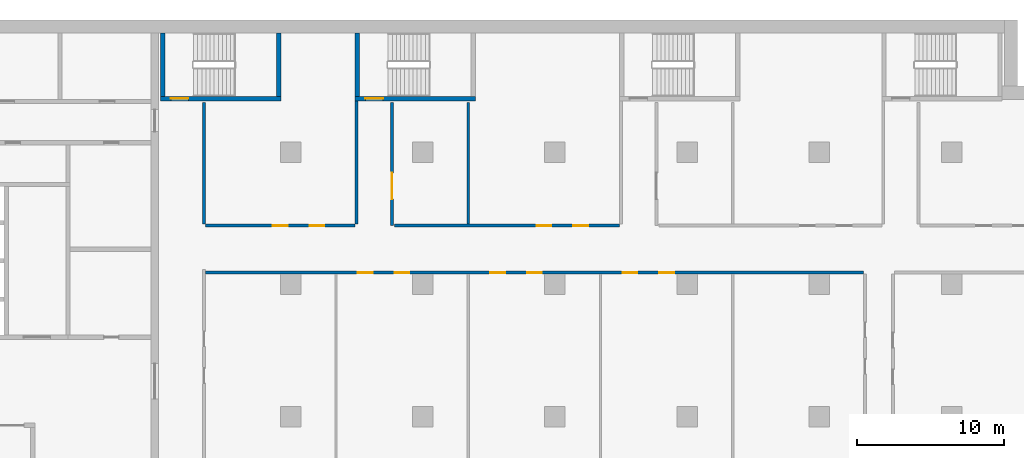
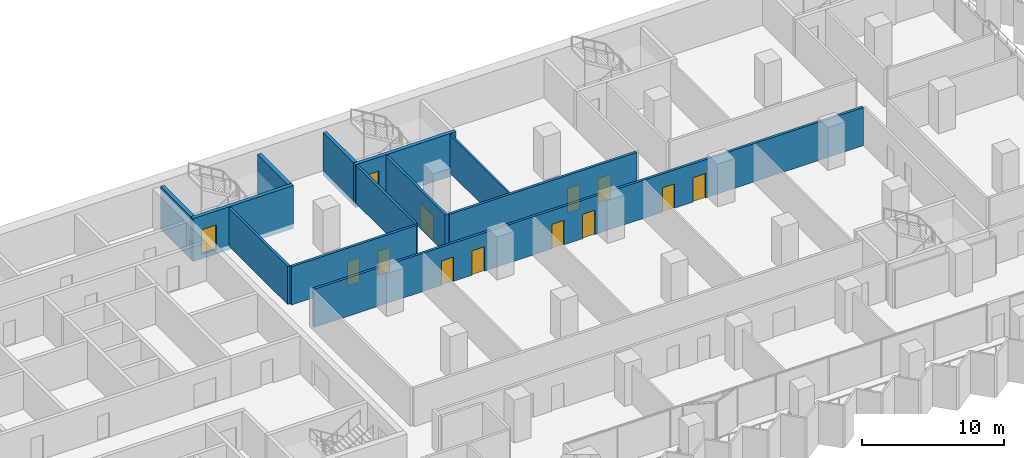
# One storey, part 16 of 28: 13 doors, 12 walls, 13 openings.
"""IFC4 building model written with IfcOpenShell, lengths in metres."""

from ifc_helpers import new_model, si_unit, direction, frame, frame_2d, origin, place, context, subcontext, project, spatial, rectangle, extrude, material, layer, layer_set, type_object, element, fill, save


model = new_model("IFC4")

# Units and contexts
model_context = context("Model", 3, precision=1e-05, world=origin(), true_north=direction((0.0, 1.0)))
body_context = subcontext(model_context, "Body", "Model", "MODEL_VIEW")
ifc_project = project(units=[si_unit("LENGTHUNIT", "METRE"), si_unit("AREAUNIT", "SQUARE_METRE"), si_unit("VOLUMEUNIT", "CUBIC_METRE"), si_unit("PLANEANGLEUNIT", "RADIAN"), si_unit("MASSUNIT", "GRAM", prefix="KILO")], contexts=[model_context])

# Site, building, storey
site_placement = place(None, origin())
site = spatial("IfcSite", under=ifc_project, at=site_placement, CompositionType="ELEMENT")
building_placement = place(site_placement, origin())
building = spatial("IfcBuilding", under=site, at=building_placement, Name="Hunhe Ridgeline Campus", CompositionType="ELEMENT")
storey_placement = place(building_placement, frame((0.0, 0.0, 39.5)))
storey = spatial("IfcBuildingStorey", under=building, at=storey_placement, Name="L08", CompositionType="ELEMENT", Elevation=39.5)

# Wall, openings, doors
ifc_material_1 = material(Name="Gypsum board partition")
ifc_layer_1 = layer(ifc_material_1, 0.199951171875)
ifc_layer_set_1 = layer_set([ifc_layer_1], Name="Corridor partition 200 gypsum board on steel studs")
wall_type_1 = type_object("IfcWallType", Name="Corridor partition 200 gypsum board on steel studs", PredefinedType="PARTITIONING", material=ifc_layer_set_1)
wall_1_placement = place(storey_placement, frame((84.0, 81.800048828125, 0.0), z_axis=(0.0, 0.0, 1.0), x_axis=(-1.0, 0.0, 0.0)))
wall_1 = element("IfcWall", 1, at=wall_1_placement, inside=storey, type_object=wall_type_1, Name="F-L08-wall-038", PredefinedType="PARTITIONING", context=body_context, shape_type="SweptSolid", body=[
    extrude(rectangle(XDim=44.800048828125, YDim=0.199951171875, at=frame_2d((22.39990234375, 0.0))), origin(), (0.0, 0.0, 1.0), 3.300048828125),
])
opening_1_placement = place(wall_1_placement, frame((33.41015625, 0.0, 0.0)))
opening_1 = element("IfcOpeningElement", 2, at=opening_1_placement, cuts=wall_1, Name="Opening RD1-037", PredefinedType="OPENING", context=body_context, shape_type="SweptSolid", body=[
    extrude(rectangle(XDim=1.0, YDim=2.10009765625, at=frame_2d((0.5, 1.050048828125))), frame((0.0, 0.10009765625, 0.0), z_axis=(0.0, -1.0, 0.0), x_axis=(1.0, 0.0, 0.0)), (0.0, 0.0, 1.0), 0.199951171875),
])
opening_2_placement = place(wall_1_placement, frame((30.91015625, 0.0, 0.0)))
opening_2 = element("IfcOpeningElement", 3, at=opening_2_placement, cuts=wall_1, Name="Opening RD1-038", PredefinedType="OPENING", context=body_context, shape_type="SweptSolid", body=[
    extrude(rectangle(XDim=1.0, YDim=2.10009765625, at=frame_2d((0.5, 1.050048828125))), frame((0.0, 0.10009765625, 0.0), z_axis=(0.0, -1.0, 0.0), x_axis=(1.0, 0.0, 0.0)), (0.0, 0.0, 1.0), 0.199951171875),
])
opening_3_placement = place(wall_1_placement, frame((24.39990234375, 0.0, 0.0)))
opening_3 = element("IfcOpeningElement", 4, at=opening_3_placement, cuts=wall_1, Name="Opening RD1-039", PredefinedType="OPENING", context=body_context, shape_type="SweptSolid", body=[
    extrude(rectangle(XDim=1.0, YDim=2.10009765625, at=frame_2d((0.5, 1.050048828125))), frame((0.0, 0.10009765625, 0.0), z_axis=(0.0, -1.0, 0.0), x_axis=(1.0, 0.0, 0.0)), (0.0, 0.0, 1.0), 0.199951171875),
])
opening_4_placement = place(wall_1_placement, frame((21.89990234375, 0.0, 0.0)))
opening_4 = element("IfcOpeningElement", 5, at=opening_4_placement, cuts=wall_1, Name="Opening RD1-040", PredefinedType="OPENING", context=body_context, shape_type="SweptSolid", body=[
    extrude(rectangle(XDim=1.0, YDim=2.10009765625, at=frame_2d((0.5, 1.050048828125))), frame((0.0, 0.10009765625, 0.0), z_axis=(0.0, -1.0, 0.0), x_axis=(1.0, 0.0, 0.0)), (0.0, 0.0, 1.0), 0.199951171875),
])
opening_5_placement = place(wall_1_placement, frame((15.389892578125, 0.0, 0.0)))
opening_5 = element("IfcOpeningElement", 6, at=opening_5_placement, cuts=wall_1, Name="Opening RD1-041", PredefinedType="OPENING", context=body_context, shape_type="SweptSolid", body=[
    extrude(rectangle(XDim=1.0, YDim=2.10009765625, at=frame_2d((0.5, 1.050048828125))), frame((0.0, 0.10009765625, 0.0), z_axis=(0.0, -1.0, 0.0), x_axis=(1.0, 0.0, 0.0)), (0.0, 0.0, 1.0), 0.199951171875),
])
opening_6_placement = place(wall_1_placement, frame((12.889892578125, 0.0, 0.0)))
opening_6 = element("IfcOpeningElement", 7, at=opening_6_placement, cuts=wall_1, Name="Opening RD1-042", PredefinedType="OPENING", context=body_context, shape_type="SweptSolid", body=[
    extrude(rectangle(XDim=1.0, YDim=2.10009765625, at=frame_2d((0.5, 1.050048828125))), frame((0.0, 0.10009765625, 0.0), z_axis=(0.0, -1.0, 0.0), x_axis=(1.0, 0.0, 0.0)), (0.0, 0.0, 1.0), 0.199951171875),
])
ifc_material_2 = material(Name="Timber door leaf", Category="wood")
door_type_1 = type_object("IfcDoorType", Name="Single fire door 1000x2100 timber FD60", OperationType="NOTDEFINED", PredefinedType="DOOR", material=ifc_material_2)
door_1_placement = place(opening_1_placement, frame((1.0, 0.0, 0.0), z_axis=(0.0, 0.0, 1.0), x_axis=(-1.0, 0.0, 0.0)))
door_1 = element("IfcDoor", 8, at=door_1_placement, inside=storey, type_object=door_type_1, Name="F-L08-door-037", OperationType="SINGLE_SWING_LEFT", OverallHeight=2.10009765625, OverallWidth=1.0, PredefinedType="DOOR", context=body_context, shape_type="SweptSolid", body=[
    extrude(rectangle(XDim=1.0, YDim=2.10009765625, at=frame_2d((0.5, 1.050048828125))), frame((0.0, 0.02490234375, 0.0), z_axis=(0.0, -1.0, 0.0), x_axis=(1.0, 0.0, 0.0)), (0.0, 0.0, 1.0), 0.050048828125),
])
fill(opening_1, door_1)
door_2_placement = place(opening_2_placement, frame((1.0, 0.0, 0.0), z_axis=(0.0, 0.0, 1.0), x_axis=(-1.0, 0.0, 0.0)))
door_2 = element("IfcDoor", 9, at=door_2_placement, inside=storey, type_object=door_type_1, Name="F-L08-door-038", OperationType="SINGLE_SWING_RIGHT", OverallHeight=2.10009765625, OverallWidth=1.0, PredefinedType="DOOR", context=body_context, shape_type="SweptSolid", body=[
    extrude(rectangle(XDim=1.0, YDim=2.10009765625, at=frame_2d((0.5, 1.050048828125))), frame((0.0, 0.02490234375, 0.0), z_axis=(0.0, -1.0, 0.0), x_axis=(1.0, 0.0, 0.0)), (0.0, 0.0, 1.0), 0.050048828125),
])
fill(opening_2, door_2)
door_3_placement = place(opening_3_placement, frame((1.0, 0.0, 0.0), z_axis=(0.0, 0.0, 1.0), x_axis=(-1.0, 0.0, 0.0)))
door_3 = element("IfcDoor", 10, at=door_3_placement, inside=storey, type_object=door_type_1, Name="F-L08-door-039", OperationType="SINGLE_SWING_LEFT", OverallHeight=2.10009765625, OverallWidth=1.0, PredefinedType="DOOR", context=body_context, shape_type="SweptSolid", body=[
    extrude(rectangle(XDim=1.0, YDim=2.10009765625, at=frame_2d((0.5, 1.050048828125))), frame((0.0, 0.02490234375, 0.0), z_axis=(0.0, -1.0, 0.0), x_axis=(1.0, 0.0, 0.0)), (0.0, 0.0, 1.0), 0.050048828125),
])
fill(opening_3, door_3)
door_4_placement = place(opening_4_placement, frame((1.0, 0.0, 0.0), z_axis=(0.0, 0.0, 1.0), x_axis=(-1.0, 0.0, 0.0)))
door_4 = element("IfcDoor", 11, at=door_4_placement, inside=storey, type_object=door_type_1, Name="F-L08-door-040", OperationType="SINGLE_SWING_RIGHT", OverallHeight=2.10009765625, OverallWidth=1.0, PredefinedType="DOOR", context=body_context, shape_type="SweptSolid", body=[
    extrude(rectangle(XDim=1.0, YDim=2.10009765625, at=frame_2d((0.5, 1.050048828125))), frame((0.0, 0.02490234375, 0.0), z_axis=(0.0, -1.0, 0.0), x_axis=(1.0, 0.0, 0.0)), (0.0, 0.0, 1.0), 0.050048828125),
])
fill(opening_4, door_4)
door_5_placement = place(opening_5_placement, frame((1.0, 0.0, 0.0), z_axis=(0.0, 0.0, 1.0), x_axis=(-1.0, 0.0, 0.0)))
door_5 = element("IfcDoor", 12, at=door_5_placement, inside=storey, type_object=door_type_1, Name="F-L08-door-041", OperationType="SINGLE_SWING_LEFT", OverallHeight=2.10009765625, OverallWidth=1.0, PredefinedType="DOOR", context=body_context, shape_type="SweptSolid", body=[
    extrude(rectangle(XDim=1.0, YDim=2.10009765625, at=frame_2d((0.5, 1.050048828125))), frame((0.0, 0.02490234375, 0.0), z_axis=(0.0, -1.0, 0.0), x_axis=(1.0, 0.0, 0.0)), (0.0, 0.0, 1.0), 0.050048828125),
])
fill(opening_5, door_5)
door_6_placement = place(opening_6_placement, frame((1.0, 0.0, 0.0), z_axis=(0.0, 0.0, 1.0), x_axis=(-1.0, 0.0, 0.0)))
door_6 = element("IfcDoor", 13, at=door_6_placement, inside=storey, type_object=door_type_1, Name="F-L08-door-042", OperationType="SINGLE_SWING_RIGHT", OverallHeight=2.10009765625, OverallWidth=1.0, PredefinedType="DOOR", context=body_context, shape_type="SweptSolid", body=[
    extrude(rectangle(XDim=1.0, YDim=2.10009765625, at=frame_2d((0.5, 1.050048828125))), frame((0.0, 0.02490234375, 0.0), z_axis=(0.0, -1.0, 0.0), x_axis=(1.0, 0.0, 0.0)), (0.0, 0.0, 1.0), 0.050048828125),
])
fill(opening_6, door_6)

wall_2_placement = place(storey_placement, frame((39.199951171875, 85.0, 0.0), z_axis=(0.0, 0.0, 1.0), x_axis=(1.0, 0.0, 0.0)))
wall_2 = element("IfcWall", 14, at=wall_2_placement, inside=storey, type_object=wall_type_1, Name="F-L08-wall-040", PredefinedType="PARTITIONING", context=body_context, shape_type="SweptSolid", body=[
    extrude(rectangle(XDim=10.199951171875, YDim=0.199951171875, at=frame_2d((5.10009765625, 0.0))), origin(), (0.0, 0.0, 1.0), 3.300048828125),
])
opening_7_placement = place(wall_2_placement, frame((4.60009765625, 0.0, 0.0)))
opening_7 = element("IfcOpeningElement", 15, at=opening_7_placement, cuts=wall_2, Name="Opening RD1-043", PredefinedType="OPENING", context=body_context, shape_type="SweptSolid", body=[
    extrude(rectangle(XDim=1.0, YDim=2.10009765625, at=frame_2d((0.5, 1.050048828125))), frame((0.0, 0.10009765625, 0.0), z_axis=(0.0, -1.0, 0.0), x_axis=(1.0, 0.0, 0.0)), (0.0, 0.0, 1.0), 0.199951171875),
])
opening_8_placement = place(wall_2_placement, frame((7.10009765625, 0.0, 0.0)))
opening_8 = element("IfcOpeningElement", 16, at=opening_8_placement, cuts=wall_2, Name="Opening RD1-044", PredefinedType="OPENING", context=body_context, shape_type="SweptSolid", body=[
    extrude(rectangle(XDim=1.0, YDim=2.10009765625, at=frame_2d((0.5, 1.050048828125))), frame((0.0, 0.10009765625, 0.0), z_axis=(0.0, -1.0, 0.0), x_axis=(1.0, 0.0, 0.0)), (0.0, 0.0, 1.0), 0.199951171875),
])
door_7_placement = place(opening_7_placement, frame((1.0, 0.0, 0.0), z_axis=(0.0, 0.0, 1.0), x_axis=(-1.0, 0.0, 0.0)))
door_7 = element("IfcDoor", 17, at=door_7_placement, inside=storey, type_object=door_type_1, Name="F-L08-door-043", OperationType="SINGLE_SWING_LEFT", OverallHeight=2.10009765625, OverallWidth=1.0, PredefinedType="DOOR", context=body_context, shape_type="SweptSolid", body=[
    extrude(rectangle(XDim=1.0, YDim=2.10009765625, at=frame_2d((0.5, 1.050048828125))), frame((0.0, 0.02490234375, 0.0), z_axis=(0.0, -1.0, 0.0), x_axis=(1.0, 0.0, 0.0)), (0.0, 0.0, 1.0), 0.050048828125),
])
fill(opening_7, door_7)
door_8_placement = place(opening_8_placement, frame((1.0, 0.0, 0.0), z_axis=(0.0, 0.0, 1.0), x_axis=(-1.0, 0.0, 0.0)))
door_8 = element("IfcDoor", 18, at=door_8_placement, inside=storey, type_object=door_type_1, Name="F-L08-door-044", OperationType="SINGLE_SWING_LEFT", OverallHeight=2.10009765625, OverallWidth=1.0, PredefinedType="DOOR", context=body_context, shape_type="SweptSolid", body=[
    extrude(rectangle(XDim=1.0, YDim=2.10009765625, at=frame_2d((0.5, 1.050048828125))), frame((0.0, 0.02490234375, 0.0), z_axis=(0.0, -1.0, 0.0), x_axis=(1.0, 0.0, 0.0)), (0.0, 0.0, 1.0), 0.050048828125),
])
fill(opening_8, door_8)

wall_3_placement = place(storey_placement, frame((52.087646484375, 85.0, 0.0), z_axis=(0.0, 0.0, 1.0), x_axis=(1.0, 0.0, 0.0)))
wall_3 = element("IfcWall", 19, at=wall_3_placement, inside=storey, type_object=wall_type_1, Name="F-L08-wall-041", PredefinedType="PARTITIONING", context=body_context, shape_type="SweptSolid", body=[
    extrude(rectangle(XDim=15.312255859375, YDim=0.199951171875, at=frame_2d((7.65625, 0.0))), origin(), (0.0, 0.0, 1.0), 3.300048828125),
])
opening_9_placement = place(wall_3_placement, frame((9.66650390625, 0.0, 0.0)))
opening_9 = element("IfcOpeningElement", 20, at=opening_9_placement, cuts=wall_3, Name="Opening RD1-045", PredefinedType="OPENING", context=body_context, shape_type="SweptSolid", body=[
    extrude(rectangle(XDim=1.0, YDim=2.10009765625, at=frame_2d((0.5, 1.050048828125))), frame((0.0, 0.10009765625, 0.0), z_axis=(0.0, -1.0, 0.0), x_axis=(1.0, 0.0, 0.0)), (0.0, 0.0, 1.0), 0.199951171875),
])
opening_10_placement = place(wall_3_placement, frame((12.16650390625, 0.0, 0.0)))
opening_10 = element("IfcOpeningElement", 21, at=opening_10_placement, cuts=wall_3, Name="Opening RD1-046", PredefinedType="OPENING", context=body_context, shape_type="SweptSolid", body=[
    extrude(rectangle(XDim=1.0, YDim=2.10009765625, at=frame_2d((0.5, 1.050048828125))), frame((0.0, 0.10009765625, 0.0), z_axis=(0.0, -1.0, 0.0), x_axis=(1.0, 0.0, 0.0)), (0.0, 0.0, 1.0), 0.199951171875),
])
door_9_placement = place(opening_9_placement, frame((1.0, 0.0, 0.0), z_axis=(0.0, 0.0, 1.0), x_axis=(-1.0, 0.0, 0.0)))
door_9 = element("IfcDoor", 22, at=door_9_placement, inside=storey, type_object=door_type_1, Name="F-L08-door-045", OperationType="SINGLE_SWING_RIGHT", OverallHeight=2.10009765625, OverallWidth=1.0, PredefinedType="DOOR", context=body_context, shape_type="SweptSolid", body=[
    extrude(rectangle(XDim=1.0, YDim=2.10009765625, at=frame_2d((0.5, 1.050048828125))), frame((0.0, 0.02490234375, 0.0), z_axis=(0.0, -1.0, 0.0), x_axis=(1.0, 0.0, 0.0)), (0.0, 0.0, 1.0), 0.050048828125),
])
fill(opening_9, door_9)
door_10_placement = place(opening_10_placement, frame((1.0, 0.0, 0.0), z_axis=(0.0, 0.0, 1.0), x_axis=(-1.0, 0.0, 0.0)))
door_10 = element("IfcDoor", 23, at=door_10_placement, inside=storey, type_object=door_type_1, Name="F-L08-door-046", OperationType="SINGLE_SWING_LEFT", OverallHeight=2.10009765625, OverallWidth=1.0, PredefinedType="DOOR", context=body_context, shape_type="SweptSolid", body=[
    extrude(rectangle(XDim=1.0, YDim=2.10009765625, at=frame_2d((0.5, 1.050048828125))), frame((0.0, 0.02490234375, 0.0), z_axis=(0.0, -1.0, 0.0), x_axis=(1.0, 0.0, 0.0)), (0.0, 0.0, 1.0), 0.050048828125),
])
fill(opening_10, door_10)

# Walls
wall_4_placement = place(storey_placement, frame((39.10009765625, 93.39599609375, 0.0), z_axis=(0.0, 0.0, 1.0), x_axis=(0.0, -1.0, 0.0)))
element("IfcWall", 24, at=wall_4_placement, inside=storey, type_object=wall_type_1, Name="F-L08-wall-056", PredefinedType="PARTITIONING", context=body_context, shape_type="SweptSolid", body=[
    extrude(rectangle(XDim=8.2958984375, YDim=0.199951171875, at=frame_2d((4.14794921875, 0.0))), origin(), (0.0, 0.0, 1.0), 3.300048828125),
])
wall_5_placement = place(storey_placement, frame((49.5, 85.10009765625, 0.0), z_axis=(0.0, 0.0, 1.0), x_axis=(0.0, 1.0, 0.0)))
element("IfcWall", 25, at=wall_5_placement, inside=storey, type_object=wall_type_1, Name="F-L08-wall-059", PredefinedType="PARTITIONING", context=body_context, shape_type="SweptSolid", body=[
    extrude(rectangle(XDim=8.369873046875, YDim=0.199951171875, at=frame_2d((4.18505859375, 0.0))), origin(), (0.0, 0.0, 1.0), 3.300048828125),
])

# Wall, opening, door
wall_6_placement = place(storey_placement, frame((51.89990234375, 93.39599609375, 0.0), z_axis=(0.0, 0.0, 1.0), x_axis=(0.0, -1.0, 0.0)))
wall_6 = element("IfcWall", 26, at=wall_6_placement, inside=storey, type_object=wall_type_1, Name="F-L08-wall-060", PredefinedType="PARTITIONING", context=body_context, shape_type="SweptSolid", body=[
    extrude(rectangle(XDim=8.39599609375, YDim=0.199951171875, at=frame_2d((4.197998046875, 0.0))), origin(), (0.0, 0.0, 1.0), 3.300048828125),
])
opening_11_placement = place(wall_6_placement, frame((4.798095703125, 0.0, 0.0)))
opening_11 = element("IfcOpeningElement", 27, at=opening_11_placement, cuts=wall_6, Name="Opening RD2-051", PredefinedType="OPENING", context=body_context, shape_type="SweptSolid", body=[
    extrude(rectangle(XDim=1.800048828125, YDim=2.10009765625, at=frame_2d((0.89990234375, 1.050048828125))), frame((0.0, 0.10009765625, 0.0), z_axis=(0.0, -1.0, 0.0), x_axis=(1.0, 0.0, 0.0)), (0.0, 0.0, 1.0), 0.199951171875),
])
door_type_2 = type_object("IfcDoorType", Name="Double fire door 1800x2100 timber FD60", OperationType="DOUBLE_DOOR_SINGLE_SWING", PredefinedType="DOOR", material=ifc_material_2)
door_11_placement = place(opening_11_placement, origin())
door_11 = element("IfcDoor", 28, at=door_11_placement, inside=storey, type_object=door_type_2, Name="F-L08-door-051", OperationType="DOUBLE_DOOR_SINGLE_SWING", OverallHeight=2.10009765625, OverallWidth=1.800048828125, PredefinedType="DOOR", context=body_context, shape_type="SweptSolid", body=[
    extrude(rectangle(XDim=1.800048828125, YDim=2.10009765625, at=frame_2d((0.89990234375, 1.050048828125))), frame((0.0, 0.02490234375, 0.0), z_axis=(0.0, -1.0, 0.0), x_axis=(1.0, 0.0, 0.0)), (0.0, 0.0, 1.0), 0.050048828125),
])
fill(opening_11, door_11)

# Wall
ifc_layer_2 = layer(ifc_material_1, 0.14990234375)
ifc_layer_set_2 = layer_set([ifc_layer_2], Name="Room partition 150 gypsum board on steel studs")
wall_type_2 = type_object("IfcWallType", Name="Room partition 150 gypsum board on steel studs", PredefinedType="PARTITIONING", material=ifc_layer_set_2)
wall_7_placement = place(storey_placement, frame((57.10009765625, 93.39599609375, 0.0), z_axis=(0.0, 0.0, 1.0), x_axis=(0.0, -1.0, 0.0)))
element("IfcWall", 29, at=wall_7_placement, inside=storey, type_object=wall_type_2, Name="F-L08-wall-064", PredefinedType="PARTITIONING", context=body_context, shape_type="SweptSolid", body=[
    extrude(rectangle(XDim=8.2958984375, YDim=0.14990234375, at=frame_2d((4.14794921875, 0.0))), origin(), (0.0, 0.0, 1.0), 3.300048828125),
])

# Wall, opening, door
ifc_material_3 = material(Name="Concrete C80", Category="concrete")
ifc_layer_3 = layer(ifc_material_3, 0.300048828125)
ifc_layer_set_3 = layer_set([ifc_layer_3], Name="Stair wall 300 reinforced concrete C80")
wall_type_3 = type_object("IfcWallType", Name="Stair wall 300 reinforced concrete C80", PredefinedType="SOLIDWALL", material=ifc_layer_set_3)
wall_8_placement = place(storey_placement, frame((36.14990234375, 93.64990234375, -0.39990234375), z_axis=(0.0, 0.0, 1.0), x_axis=(1.0, 0.0, 0.0)))
wall_8 = element("IfcWall", 30, at=wall_8_placement, inside=storey, type_object=wall_type_3, Name="L08 core wall 32", PredefinedType="SOLIDWALL", context=body_context, shape_type="SweptSolid", body=[
    extrude(rectangle(XDim=8.2001953125, YDim=0.300048828125, at=frame_2d((4.10009765625, 0.0))), origin(), (0.0, 0.0, 1.0), 3.699951171875),
])
opening_12_placement = place(wall_8_placement, frame((0.699951171875, 0.0, 0.39990234375)))
opening_12 = element("IfcOpeningElement", 31, at=opening_12_placement, cuts=wall_8, Name="Opening CD17", PredefinedType="OPENING", context=body_context, shape_type="SweptSolid", body=[
    extrude(rectangle(XDim=1.199951171875, YDim=2.10009765625, at=frame_2d((0.60009765625, 1.050048828125))), frame((0.0, 0.14990234375, 0.0), z_axis=(0.0, -1.0, 0.0), x_axis=(1.0, 0.0, 0.0)), (0.0, 0.0, 1.0), 0.300048828125),
])
ifc_material_4 = material(Name="Hollow metal fire door leaf")
door_type_3 = type_object("IfcDoorType", Name="Stair door 1200x2100 FD60", OperationType="SINGLE_SWING_LEFT", PredefinedType="DOOR", material=ifc_material_4)
door_12_placement = place(opening_12_placement, frame((1.199951171875, 0.0, 0.0), z_axis=(0.0, 0.0, 1.0), x_axis=(-1.0, 0.0, 0.0)))
door_12 = element("IfcDoor", 32, at=door_12_placement, inside=storey, type_object=door_type_3, Name="L08 door E1", OperationType="SINGLE_SWING_RIGHT", OverallHeight=2.10009765625, OverallWidth=1.199951171875, PredefinedType="DOOR", context=body_context, shape_type="SweptSolid", body=[
    extrude(rectangle(XDim=1.199951171875, YDim=2.10009765625, at=frame_2d((0.60009765625, 1.050048828125))), frame((0.0, 0.02490234375, 0.0), z_axis=(0.0, -1.0, 0.0), x_axis=(1.0, 0.0, 0.0)), (0.0, 0.0, 1.0), 0.050048828125),
])
fill(opening_12, door_12)

wall_9_placement = place(storey_placement, frame((49.39990234375, 93.64990234375, -0.39990234375), z_axis=(0.0, 0.0, 1.0), x_axis=(1.0, 0.0, 0.0)))
wall_9 = element("IfcWall", 33, at=wall_9_placement, inside=storey, type_object=wall_type_3, Name="L08 core wall 33", PredefinedType="SOLIDWALL", context=body_context, shape_type="SweptSolid", body=[
    extrude(rectangle(XDim=8.2001953125, YDim=0.300048828125, at=frame_2d((4.10009765625, 0.0))), origin(), (0.0, 0.0, 1.0), 3.699951171875),
])
opening_13_placement = place(wall_9_placement, frame((0.699951171875, 0.0, 0.39990234375)))
opening_13 = element("IfcOpeningElement", 34, at=opening_13_placement, cuts=wall_9, Name="Opening CD18", PredefinedType="OPENING", context=body_context, shape_type="SweptSolid", body=[
    extrude(rectangle(XDim=1.199951171875, YDim=2.10009765625, at=frame_2d((0.60009765625, 1.050048828125))), frame((0.0, 0.14990234375, 0.0), z_axis=(0.0, -1.0, 0.0), x_axis=(1.0, 0.0, 0.0)), (0.0, 0.0, 1.0), 0.300048828125),
])
door_13_placement = place(opening_13_placement, frame((1.199951171875, 0.0, 0.0), z_axis=(0.0, 0.0, 1.0), x_axis=(-1.0, 0.0, 0.0)))
door_13 = element("IfcDoor", 35, at=door_13_placement, inside=storey, type_object=door_type_3, Name="L08 door E2", OperationType="SINGLE_SWING_LEFT", OverallHeight=2.10009765625, OverallWidth=1.199951171875, PredefinedType="DOOR", context=body_context, shape_type="SweptSolid", body=[
    extrude(rectangle(XDim=1.199951171875, YDim=2.10009765625, at=frame_2d((0.60009765625, 1.050048828125))), frame((0.0, 0.02490234375, 0.0), z_axis=(0.0, -1.0, 0.0), x_axis=(1.0, 0.0, 0.0)), (0.0, 0.0, 1.0), 0.050048828125),
])
fill(opening_13, door_13)

# Walls
for number, where, z_axis, x_axis, name in (
    (36, (36.300048828125, 93.800048828125, -0.39990234375), (0.0, 0.0, 1.0), (0.0, 1.0, 0.0), "L08 core wall 65"),
    (37, (44.199951171875, 93.800048828125, -0.39990234375), (0.0, 0.0, 1.0), (0.0, 1.0, 0.0), "L08 core wall 66"),
    (38, (49.550048828125, 93.800048828125, -0.39990234375), (0.0, 0.0, 1.0), (0.0, 1.0, 0.0), "L08 core wall 67"),
):
    element("IfcWall", number, at=place(storey_placement, frame(where, z_axis=z_axis, x_axis=x_axis)), inside=storey, type_object=wall_type_3, Name=name, PredefinedType="SOLIDWALL", context=body_context, shape_type="SweptSolid", body=[
        extrude(rectangle(XDim=4.300048828125, YDim=0.300048828125, at=frame_2d((2.14990234375, 0.0))), origin(), (0.0, 0.0, 1.0), 3.699951171875),
    ])

save(model, "model.ifc")
